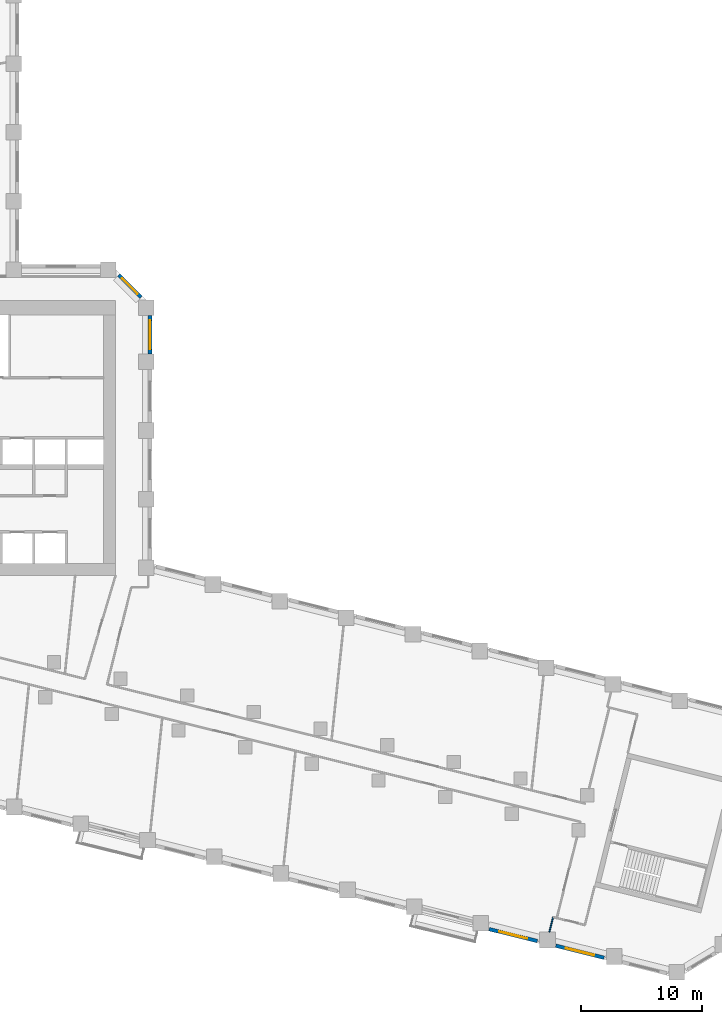
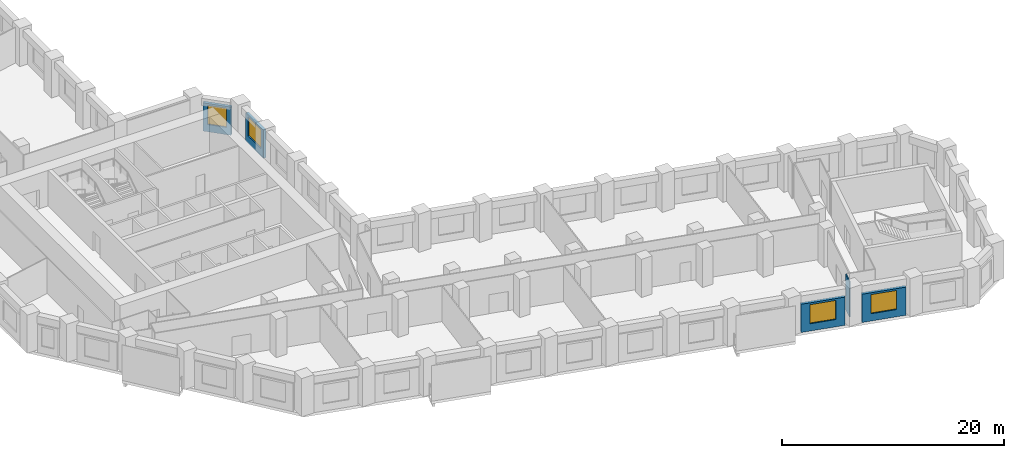
# One storey, part 6 of 11: 5 walls, 4 windows, 4 openings.
"""IFC4 building model written with IfcOpenShell, lengths in metres."""

from ifc_helpers import new_model, si_unit, direction, frame, frame_2d, origin, place, context, subcontext, project, spatial, rectangle, extrude, material, layer, layer_set, type_object, element, fill, save


model = new_model("IFC4")

# Units and contexts
model_context = context("Model", 3, precision=1e-05, world=origin(), true_north=direction((0.0, 1.0)))
body_context = subcontext(model_context, "Body", "Model", "MODEL_VIEW")
ifc_project = project(units=[si_unit("LENGTHUNIT", "METRE"), si_unit("AREAUNIT", "SQUARE_METRE"), si_unit("VOLUMEUNIT", "CUBIC_METRE"), si_unit("PLANEANGLEUNIT", "RADIAN"), si_unit("MASSUNIT", "GRAM", prefix="KILO")], contexts=[model_context])

# Site, building, storey
site_placement = place(None, origin())
site = spatial("IfcSite", under=ifc_project, at=site_placement, CompositionType="ELEMENT")
building_placement = place(site_placement, origin())
building = spatial("IfcBuilding", under=site, at=building_placement, Name="Meshkara Civic Tower", CompositionType="ELEMENT")
storey_placement = place(building_placement, frame((0.0, 0.0, 143.39990234375)))
storey = spatial("IfcBuildingStorey", under=building, at=storey_placement, Name="L32", CompositionType="ELEMENT", Elevation=143.39990234375)

# Wall, opening, window
ifc_material_1 = material(Name="Insulated infill panel with bronze anodised aluminium cladding", Category="aluminium")
ifc_layer_1 = layer(ifc_material_1, 0.300048828125)
ifc_layer_set_1 = layer_set([ifc_layer_1], Name="EXTERNAL INFILL WALL 300")
wall_type_1 = type_object("IfcWallType", Name="EXTERNAL INFILL WALL 300", PredefinedType="SOLIDWALL", material=ifc_layer_set_1)
wall_1_placement = place(storey_placement, frame((33.64990234375, 32.468994140625, 0.0), z_axis=(0.0, 0.0, 1.0), x_axis=(0.0, 1.0, 0.0)))
wall_1 = element("IfcWall", 1, at=wall_1_placement, inside=storey, type_object=wall_type_1, Name="External wall", PredefinedType="SOLIDWALL", context=body_context, shape_type="SweptSolid", body=[
    extrude(rectangle(XDim=3.175048828125, YDim=0.300048828125, at=frame_2d((1.58740234375, 0.0))), origin(), (0.0, 0.0, 1.0), 3.10009765625),
])
opening_1_placement = place(wall_1_placement, frame((0.387939453125, 0.0, 0.800048828125)))
opening_1 = element("IfcOpeningElement", 2, at=opening_1_placement, cuts=wall_1, Name="Opening W7", PredefinedType="OPENING", context=body_context, shape_type="SweptSolid", body=[
    extrude(rectangle(XDim=2.39990234375, YDim=2.10009765625, at=frame_2d((1.199951171875, 1.050048828125))), frame((0.0, 0.159912109375, 0.0), z_axis=(0.0, -1.0, 0.0), x_axis=(1.0, 0.0, 0.0)), (0.0, 0.0, 1.0), 0.320068359375),
])
ifc_material_2 = material(Name="Tinted double glazing", Category="glass")
window_type_1 = type_object("IfcWindowType", Name="WINDOW 2400x2100", PartitioningType="DOUBLE_PANEL_VERTICAL", PredefinedType="WINDOW", material=ifc_material_2)
window_1_placement = place(opening_1_placement, origin())
window_1 = element("IfcWindow", 3, at=window_1_placement, inside=storey, type_object=window_type_1, Name="Window", OverallHeight=2.10009765625, OverallWidth=2.39990234375, PartitioningType="DOUBLE_PANEL_VERTICAL", PredefinedType="WINDOW", context=body_context, shape_type="SweptSolid", body=[
    extrude(rectangle(XDim=2.39990234375, YDim=2.10009765625, at=frame_2d((1.199951171875, 1.050048828125))), frame((0.0, 0.030029296875, 0.0), z_axis=(0.0, -1.0, 0.0), x_axis=(1.0, 0.0, 0.0)), (0.0, 0.0, 1.0), 0.06005859375),
])
fill(opening_1, window_1)

wall_2_placement = place(storey_placement, frame((32.912109375, 37.156005859375, 0.0), z_axis=(0.0, 0.0, 1.0), x_axis=(-0.707153284542, 0.707060274772, 0.0)))
wall_2 = element("IfcWall", 4, at=wall_2_placement, inside=storey, type_object=wall_type_1, Name="External wall", PredefinedType="SOLIDWALL", context=body_context, shape_type="SweptSolid", body=[
    extrude(rectangle(XDim=2.625, YDim=0.300048828125, at=frame_2d((1.3125, 0.0))), origin(), (0.0, 0.0, 1.0), 3.10009765625),
])
opening_2_placement = place(wall_2_placement, frame((0.412109375, 0.0, 0.800048828125)))
opening_2 = element("IfcOpeningElement", 5, at=opening_2_placement, cuts=wall_2, Name="Opening W9", PredefinedType="OPENING", context=body_context, shape_type="SweptSolid", body=[
    extrude(rectangle(XDim=1.800048828125, YDim=2.10009765625, at=frame_2d((0.89990234375, 1.050048828125))), frame((0.0, 0.159912109375, 0.0), z_axis=(0.0, -1.0, 0.0), x_axis=(1.0, 0.0, 0.0)), (0.0, 0.0, 1.0), 0.320068359375),
])
ifc_material_3 = material(Name="Tinted double glazing", Category="glass")
window_type_2 = type_object("IfcWindowType", Name="WINDOW 1800x2100", PartitioningType="DOUBLE_PANEL_VERTICAL", PredefinedType="WINDOW", material=ifc_material_3)
window_2_placement = place(opening_2_placement, origin())
window_2 = element("IfcWindow", 6, at=window_2_placement, inside=storey, type_object=window_type_2, Name="Window", OverallHeight=2.10009765625, OverallWidth=1.800048828125, PartitioningType="DOUBLE_PANEL_VERTICAL", PredefinedType="WINDOW", context=body_context, shape_type="SweptSolid", body=[
    extrude(rectangle(XDim=1.800048828125, YDim=2.10009765625, at=frame_2d((0.89990234375, 1.050048828125))), frame((0.0, 0.030029296875, 0.0), z_axis=(0.0, -1.0, 0.0), x_axis=(1.0, 0.0, 0.0)), (0.0, 0.0, 1.0), 0.06005859375),
])
fill(opening_2, window_2)

wall_3_placement = place(storey_placement, frame((61.7890625, -15.2509765625, 0.0), z_axis=(0.0, 0.0, 1.0), x_axis=(0.970323340708, -0.24181111322, 0.0)))
wall_3 = element("IfcWall", 7, at=wall_3_placement, inside=storey, type_object=wall_type_1, Name="External wall", PredefinedType="SOLIDWALL", context=body_context, shape_type="SweptSolid", body=[
    extrude(rectangle(XDim=4.123291015625, YDim=0.300048828125, at=frame_2d((2.0615234375, 0.0))), origin(), (0.0, 0.0, 1.0), 3.10009765625),
])
opening_3_placement = place(wall_3_placement, frame((0.862060546875, 0.0, 0.800048828125)))
opening_3 = element("IfcOpeningElement", 8, at=opening_3_placement, cuts=wall_3, Name="Opening W7", PredefinedType="OPENING", context=body_context, shape_type="SweptSolid", body=[
    extrude(rectangle(XDim=2.39990234375, YDim=2.10009765625, at=frame_2d((1.199951171875, 1.050048828125))), frame((0.0, 0.159912109375, 0.0), z_axis=(0.0, -1.0, 0.0), x_axis=(1.0, 0.0, 0.0)), (0.0, 0.0, 1.0), 0.320068359375),
])
window_3_placement = place(opening_3_placement, origin())
window_3 = element("IfcWindow", 9, at=window_3_placement, inside=storey, type_object=window_type_1, Name="Window", OverallHeight=2.10009765625, OverallWidth=2.39990234375, PartitioningType="DOUBLE_PANEL_VERTICAL", PredefinedType="WINDOW", context=body_context, shape_type="SweptSolid", body=[
    extrude(rectangle(XDim=2.39990234375, YDim=2.10009765625, at=frame_2d((1.199951171875, 1.050048828125))), frame((0.0, 0.030029296875, 0.0), z_axis=(0.0, -1.0, 0.0), x_axis=(1.0, 0.0, 0.0)), (0.0, 0.0, 1.0), 0.06005859375),
])
fill(opening_3, window_3)

wall_4_placement = place(storey_placement, frame((67.319091796875, -16.6298828125, 0.0), z_axis=(0.0, 0.0, 1.0), x_axis=(0.970337184445, -0.241755555227, 0.0)))
wall_4 = element("IfcWall", 10, at=wall_4_placement, inside=storey, type_object=wall_type_1, Name="External wall", PredefinedType="SOLIDWALL", context=body_context, shape_type="SweptSolid", body=[
    extrude(rectangle(XDim=4.124267578125, YDim=0.300048828125, at=frame_2d((2.06201171875, 0.0))), origin(), (0.0, 0.0, 1.0), 3.10009765625),
])
opening_4_placement = place(wall_4_placement, frame((0.862060546875, 0.0, 0.800048828125)))
opening_4 = element("IfcOpeningElement", 11, at=opening_4_placement, cuts=wall_4, Name="Opening W7", PredefinedType="OPENING", context=body_context, shape_type="SweptSolid", body=[
    extrude(rectangle(XDim=2.39990234375, YDim=2.10009765625, at=frame_2d((1.199951171875, 1.050048828125))), frame((0.0, 0.159912109375, 0.0), z_axis=(0.0, -1.0, 0.0), x_axis=(1.0, 0.0, 0.0)), (0.0, 0.0, 1.0), 0.320068359375),
])
window_4_placement = place(opening_4_placement, origin())
window_4 = element("IfcWindow", 12, at=window_4_placement, inside=storey, type_object=window_type_1, Name="Window", OverallHeight=2.10009765625, OverallWidth=2.39990234375, PartitioningType="DOUBLE_PANEL_VERTICAL", PredefinedType="WINDOW", context=body_context, shape_type="SweptSolid", body=[
    extrude(rectangle(XDim=2.39990234375, YDim=2.10009765625, at=frame_2d((1.199951171875, 1.050048828125))), frame((0.0, 0.030029296875, 0.0), z_axis=(0.0, -1.0, 0.0), x_axis=(1.0, 0.0, 0.0)), (0.0, 0.0, 1.0), 0.06005859375),
])
fill(opening_4, window_4)

# Wall
ifc_material_4 = material(Name="Partition 100")
ifc_layer_2 = layer(ifc_material_4, 0.10009765625)
ifc_layer_set_2 = layer_set([ifc_layer_2], Name="Partition 100")
wall_type_2 = type_object("IfcWallType", Name="Partition 100", PredefinedType="PARTITIONING", material=ifc_layer_set_2)
wall_5_placement = place(storey_placement, frame((66.7890625, -15.498046875, 0.0), z_axis=(0.0, 0.0, 1.0), x_axis=(0.242221476086, 0.970220983345, 0.0)))
element("IfcWall", 13, at=wall_5_placement, inside=storey, type_object=wall_type_2, Name="L32-W050", PredefinedType="PARTITIONING", context=body_context, shape_type="SweptSolid", body=[
    extrude(rectangle(XDim=1.280029296875, YDim=0.10009765625, at=frame_2d((0.64013671875, 0.0))), origin(), (0.0, 0.0, 1.0), 3.900146484375),
])

save(model, "model.ifc")
